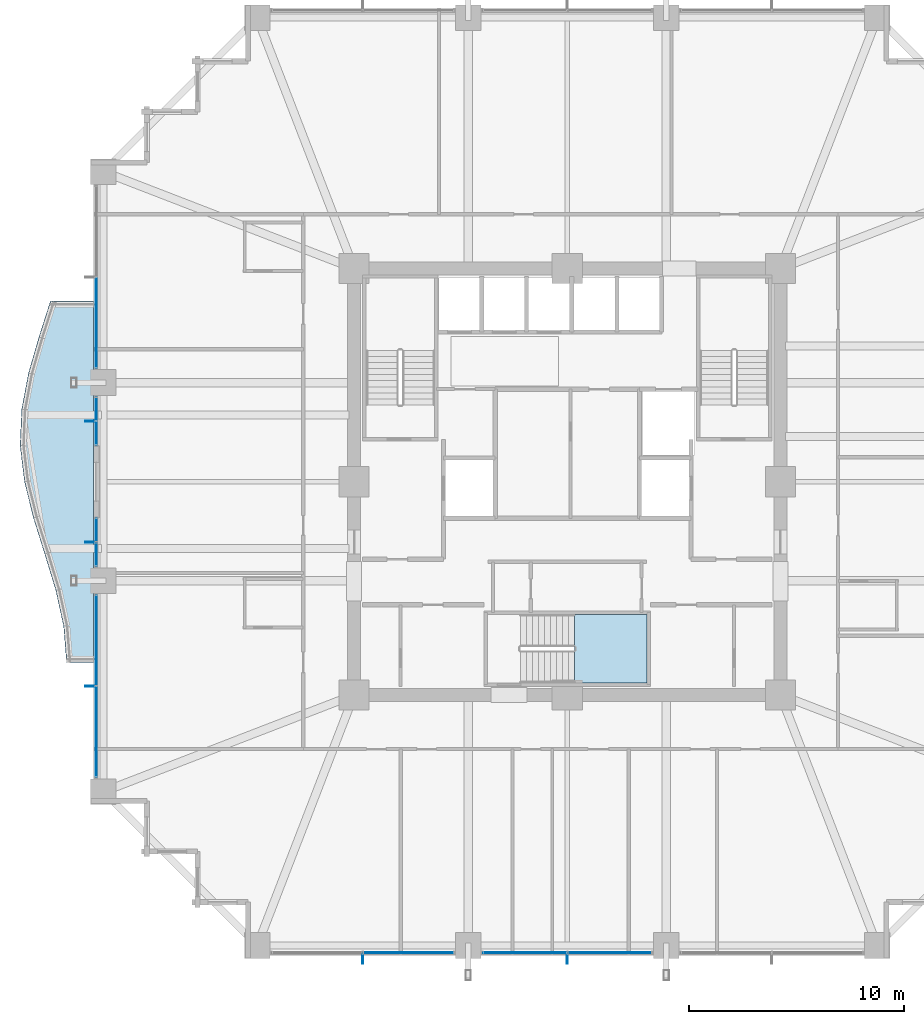
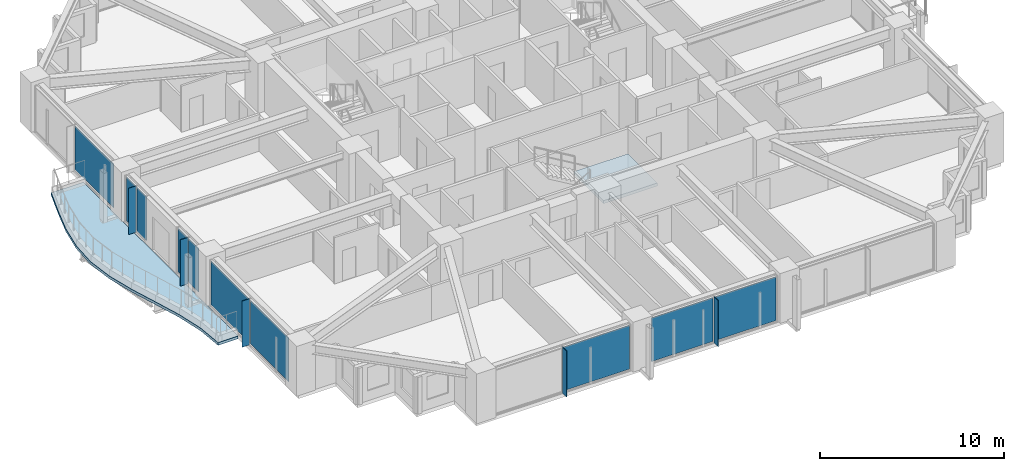
# One storey, part 28 of 38: 15 plates, 2 slabs, 7 elements without a shape of their own.
"""IFC4 building model written with IfcOpenShell, lengths in metres."""

from ifc_helpers import new_model, si_unit, direction, frame, origin, origin_2d, place, context, subcontext, project, spatial, polyline, rectangle, outline, extrude, material, layer, layer_set, type_object, element, aggregate, save


model = new_model("IFC4")

# Units and contexts
model_context = context("Model", 3, precision=1e-05, world=origin(), true_north=direction((0.0, 1.0)))
body_context = subcontext(model_context, "Body", "Model", "MODEL_VIEW")
ifc_project = project(units=[si_unit("LENGTHUNIT", "METRE"), si_unit("AREAUNIT", "SQUARE_METRE"), si_unit("VOLUMEUNIT", "CUBIC_METRE"), si_unit("PLANEANGLEUNIT", "RADIAN"), si_unit("MASSUNIT", "GRAM", prefix="KILO")], contexts=[model_context])

# Site, building, storey
site_placement = place(None, origin())
site = spatial("IfcSite", under=ifc_project, at=site_placement, CompositionType="ELEMENT")
building_placement = place(site_placement, origin())
building = spatial("IfcBuilding", under=site, at=building_placement, Name="Kolvaren Belvedere", CompositionType="ELEMENT")
storey_placement = place(building_placement, frame((0.0, 0.0, 53.5)))
storey = spatial("IfcBuildingStorey", under=building, at=storey_placement, Name="L15", CompositionType="ELEMENT", Elevation=53.5)

# Curtain wall, plates
ifc_material_1 = material(Name="Anodised pale-metal aluminium AA 6063-T6", Category="aluminium")
curtain_wall_type = type_object("IfcCurtainWallType", Name="CW-Z1-LOW", PredefinedType="NOTDEFINED", material=ifc_material_1)
curtain_wall_1_placement = place(storey_placement, origin())
curtain_wall_1 = element("IfcCurtainWall", 1, at=curtain_wall_1_placement, inside=storey, type_object=curtain_wall_type, Name="L15 Unitised Curtain Wall FCW-L15-S-B2", PredefinedType="NOTDEFINED")
ifc_material_2 = material(Name="Low-iron triple insulated glass", Category="glass")
ifc_layer_1 = layer(ifc_material_2, 0.028076171875)
ifc_layer_set_1 = layer_set([ifc_layer_1], Name="Low-iron triple insulated glass")
plate_type_1 = type_object("IfcPlateType", Name="CW-PNL-VIS28", PredefinedType="CURTAIN_PANEL", material=ifc_layer_set_1)
plate_1_placement = place(storey_placement, frame((1.972412109375, -21.8798828125, 0.080078125), z_axis=(0.0, 0.0, 1.0), x_axis=(-1.0, 0.0, 0.0)))
plate_1 = element("IfcPlate", 2, at=plate_1_placement, type_object=plate_type_1, Name="FCW-L15-S-B2 Vision Glazing Panel 1", PredefinedType="CURTAIN_PANEL", context=body_context, shape_type="SweptSolid", body=[
    extrude(rectangle(XDim=3.864990234375, YDim=0.028076171875, at=origin_2d()), origin(), (0.0, 0.0, 1.0), 2.89990234375),
])
plate_2_placement = place(storey_placement, frame((-1.972412109375, -21.8798828125, 0.080078125), z_axis=(0.0, 0.0, 1.0), x_axis=(-1.0, 0.0, 0.0)))
plate_2 = element("IfcPlate", 3, at=plate_2_placement, type_object=plate_type_1, Name="FCW-L15-S-B2 Vision Glazing Panel 2", PredefinedType="CURTAIN_PANEL", context=body_context, shape_type="SweptSolid", body=[
    extrude(rectangle(XDim=3.864990234375, YDim=0.028076171875, at=origin_2d()), origin(), (0.0, 0.0, 1.0), 2.89990234375),
])
aggregate(curtain_wall_1, [plate_1, plate_2])

# Curtain wall, plate
curtain_wall_2_placement = place(storey_placement, origin())
curtain_wall_2 = element("IfcCurtainWall", 4, at=curtain_wall_2_placement, inside=storey, type_object=curtain_wall_type, Name="L15 Unitised Curtain Wall FCW-L15-S-B3", PredefinedType="NOTDEFINED")
plate_3_placement = place(storey_placement, frame((-7.37744140625, -21.8798828125, 0.080078125), z_axis=(0.0, 0.0, 1.0), x_axis=(-1.0, 0.0, 0.0)))
plate_3 = element("IfcPlate", 5, at=plate_3_placement, type_object=plate_type_1, Name="FCW-L15-S-B3 Vision Glazing Panel 1", PredefinedType="CURTAIN_PANEL", context=body_context, shape_type="SweptSolid", body=[
    extrude(rectangle(XDim=4.1650390625, YDim=0.028076171875, at=origin_2d()), origin(), (0.0, 0.0, 1.0), 2.89990234375),
])
aggregate(curtain_wall_2, [plate_3])

# Curtain wall, plates
curtain_wall_3_placement = place(storey_placement, origin())
curtain_wall_3 = element("IfcCurtainWall", 6, at=curtain_wall_3_placement, inside=storey, type_object=curtain_wall_type, Name="L15 Unitised Curtain Wall FCW-L15-W1-B1", PredefinedType="NOTDEFINED")
plate_4_placement = place(storey_placement, frame((-21.8798828125, -11.62255859375, 0.080078125), z_axis=(0.0, 0.0, 1.0), x_axis=(0.0, 1.0, 0.0)))
plate_4 = element("IfcPlate", 7, at=plate_4_placement, type_object=plate_type_1, Name="FCW-L15-W1-B1 Vision Glazing Panel 1", PredefinedType="CURTAIN_PANEL", context=body_context, shape_type="SweptSolid", body=[
    extrude(rectangle(XDim=4.1650390625, YDim=0.028076171875, at=origin_2d()), origin(), (0.0, 0.0, 1.0), 2.89990234375),
])
plate_5_placement = place(storey_placement, frame((-21.8798828125, -7.37744140625, 0.080078125), z_axis=(0.0, 0.0, 1.0), x_axis=(0.0, 1.0, 0.0)))
plate_5 = element("IfcPlate", 8, at=plate_5_placement, type_object=plate_type_1, Name="FCW-L15-W1-B1 Vision Glazing Panel 2", PredefinedType="CURTAIN_PANEL", context=body_context, shape_type="SweptSolid", body=[
    extrude(rectangle(XDim=4.1650390625, YDim=0.028076171875, at=origin_2d()), origin(), (0.0, 0.0, 1.0), 2.89990234375),
])
aggregate(curtain_wall_3, [plate_4, plate_5])

curtain_wall_4_placement = place(storey_placement, origin())
curtain_wall_4 = element("IfcCurtainWall", 9, at=curtain_wall_4_placement, inside=storey, type_object=curtain_wall_type, Name="L15 Unitised Curtain Wall FCW-L15-W1-B2", PredefinedType="NOTDEFINED")
plate_6_placement = place(storey_placement, frame((-21.8798828125, -3.37890625, 0.080078125), z_axis=(0.0, 0.0, 1.0), x_axis=(0.0, 1.0, 0.0)))
plate_6 = element("IfcPlate", 10, at=plate_6_placement, type_object=plate_type_1, Name="FCW-L15-W1-B2 Vision Glazing Panel 1", PredefinedType="CURTAIN_PANEL", context=body_context, shape_type="SweptSolid", body=[
    extrude(rectangle(XDim=1.052490234375, YDim=0.028076171875, at=origin_2d()), origin(), (0.0, 0.0, 1.0), 2.89990234375),
])
plate_7_placement = place(storey_placement, frame((-21.8798828125, -2.24609375, 0.080078125), z_axis=(0.0, 0.0, 1.0), x_axis=(0.0, 1.0, 0.0)))
plate_7 = element("IfcPlate", 11, at=plate_7_placement, type_object=plate_type_1, Name="FCW-L15-W1-B2 Vision Glazing Panel 2", PredefinedType="CURTAIN_PANEL", context=body_context, shape_type="SweptSolid", body=[
    extrude(rectangle(XDim=1.052490234375, YDim=0.028076171875, at=origin_2d()), origin(), (0.0, 0.0, 1.0), 2.89990234375),
])
aggregate(curtain_wall_4, [plate_6, plate_7])

curtain_wall_5_placement = place(storey_placement, origin())
curtain_wall_5 = element("IfcCurtainWall", 12, at=curtain_wall_5_placement, inside=storey, type_object=curtain_wall_type, Name="L15 Unitised Curtain Wall FCW-L15-W2-B1", PredefinedType="NOTDEFINED")
plate_8_placement = place(storey_placement, frame((-21.8798828125, 2.24609375, 0.080078125), z_axis=(0.0, 0.0, 1.0), x_axis=(0.0, 1.0, 0.0)))
plate_8 = element("IfcPlate", 13, at=plate_8_placement, type_object=plate_type_1, Name="FCW-L15-W2-B1 Vision Glazing Panel 1", PredefinedType="CURTAIN_PANEL", context=body_context, shape_type="SweptSolid", body=[
    extrude(rectangle(XDim=1.052490234375, YDim=0.028076171875, at=origin_2d()), origin(), (0.0, 0.0, 1.0), 2.89990234375),
])
plate_9_placement = place(storey_placement, frame((-21.8798828125, 3.378662109375, 0.080078125), z_axis=(0.0, 0.0, 1.0), x_axis=(0.0, 1.0, 0.0)))
plate_9 = element("IfcPlate", 14, at=plate_9_placement, type_object=plate_type_1, Name="FCW-L15-W2-B1 Vision Glazing Panel 2", PredefinedType="CURTAIN_PANEL", context=body_context, shape_type="SweptSolid", body=[
    extrude(rectangle(XDim=1.052490234375, YDim=0.028076171875, at=origin_2d()), origin(), (0.0, 0.0, 1.0), 2.89990234375),
])
aggregate(curtain_wall_5, [plate_8, plate_9])

# Curtain wall, plate
curtain_wall_6_placement = place(storey_placement, origin())
curtain_wall_6 = element("IfcCurtainWall", 15, at=curtain_wall_6_placement, inside=storey, type_object=curtain_wall_type, Name="L15 Unitised Curtain Wall FCW-L15-W2-B2", PredefinedType="NOTDEFINED")
plate_10_placement = place(storey_placement, frame((-21.8798828125, 7.37744140625, 0.080078125), z_axis=(0.0, 0.0, 1.0), x_axis=(0.0, 1.0, 0.0)))
plate_10 = element("IfcPlate", 16, at=plate_10_placement, type_object=plate_type_1, Name="FCW-L15-W2-B2 Vision Glazing Panel 1", PredefinedType="CURTAIN_PANEL", context=body_context, shape_type="SweptSolid", body=[
    extrude(rectangle(XDim=4.1650390625, YDim=0.028076171875, at=origin_2d()), origin(), (0.0, 0.0, 1.0), 2.89990234375),
])
aggregate(curtain_wall_6, [plate_10])

# Plates
ifc_material_3 = material(Name="Anodised pale-metal aluminium AA 6063-T6", Category="aluminium")
ifc_layer_2 = layer(ifc_material_3, 0.0380859375)
ifc_layer_set_2 = layer_set([ifc_layer_2], Name="Anodised pale-metal aluminium AA 6063-T6")
plate_type_2 = type_object("IfcPlateType", Name="FIN-VERT-450", PredefinedType="USERDEFINED", material=ifc_layer_set_2)
for number, where, z_axis, x_axis, name in (
    (17, (0.0, -22.1650390625, 0.0), (0.0, 0.0, 1.0), (0.0, 1.0, 0.0), "L15 Pale-Metal Vertical Shading Fin FCW-L15-S-B2-1"),
    (18, (-9.5, -22.1650390625, 0.0), (0.0, 0.0, 1.0), (0.0, 1.0, 0.0), "L15 Pale-Metal Vertical Shading Fin FCW-L15-S-B3-1"),
    (19, (-22.1650390625, -9.5, 0.0), (0.0, 0.0, 1.0), (1.0, 0.0, 0.0), "L15 Pale-Metal Vertical Shading Fin FCW-L15-W1-B1-1"),
    (20, (-22.1650390625, -2.8125, 0.0), (0.0, 0.0, 1.0), (1.0, 0.0, 0.0), "L15 Pale-Metal Vertical Shading Fin FCW-L15-W1-B2-1"),
    (21, (-22.1650390625, 2.8125, 0.0), (0.0, 0.0, 1.0), (1.0, 0.0, 0.0), "L15 Pale-Metal Vertical Shading Fin FCW-L15-W2-B1-1"),
):
    element("IfcPlate", number, at=place(storey_placement, frame(where, z_axis=z_axis, x_axis=x_axis)), inside=storey, type_object=plate_type_2, Name=name, ObjectType="VERTICAL FIN", PredefinedType="USERDEFINED", context=body_context, shape_type="SweptSolid", body=[
        extrude(rectangle(XDim=0.449951171875, YDim=0.0380859375, at=origin_2d()), origin(), (0.0, 0.0, 1.0), 3.06005859375),
    ])

# Slab
ifc_material_4 = material(Name="Concrete C50/60", Category="concrete")
ifc_layer_3 = layer(ifc_material_4, 0.179931640625)
ifc_layer_set_3 = layer_set([ifc_layer_3], Name="Concrete C50/60")
slab_type_1 = type_object("IfcSlabType", Name="SL-BAL-180", PredefinedType="FLOOR", material=ifc_layer_set_3)
slab_1_placement = place(storey_placement, frame((0.0, 0.0, -0.239990234375)))
element("IfcSlab", 22, at=slab_1_placement, inside=storey, type_object=slab_type_1, Name="L15 Planted Balcony BAL-W", PredefinedType="FLOOR", context=body_context, shape_type="SweptSolid", body=[
    extrude(outline(polyline([(-24.00634765625, 8.39990234375), (-24.54248046875, 6.719970703125), (-25.0283203125, 5.0400390625), (-25.34423828125, 3.360107421875), (-25.419921875, 1.679931640625), (-25.213623046875, 0.0), (-24.7998046875, -1.679931640625), (-24.272216796875, -3.360107421875), (-23.76123046875, -5.0400390625), (-23.3935546875, -6.719970703125), (-23.260009765625, -8.39990234375), (-22.0, -8.39990234375), (-22.0, -6.719970703125), (-22.0, -5.0400390625), (-22.0, -3.360107421875), (-22.0, -1.679931640625), (-22.0, 0.0), (-22.0, 1.679931640625), (-22.0, 3.360107421875), (-22.0, 5.0400390625), (-22.0, 6.719970703125), (-22.0, 8.39990234375), (-24.00634765625, 8.39990234375)])), origin(), (0.0, 0.0, 1.0), 0.179931640625),
])

# Stair, slab
ifc_material_5 = material(Name="Concrete C50/60", Category="concrete")
stair_type = type_object("IfcStairType", Name="ST-CORE-1520", PredefinedType="HALF_TURN_STAIR", material=ifc_material_5)
stair_placement = place(storey_placement, origin())
stair = element("IfcStair", 23, at=stair_placement, inside=storey, type_object=stair_type, Name="L15 Protected Exit Stair ST-3", PredefinedType="HALF_TURN_STAIR")
ifc_material_6 = material(Name="Concrete C50/60", Category="concrete")
ifc_layer_4 = layer(ifc_material_6, 0.260009765625)
ifc_layer_set_4 = layer_set([ifc_layer_4], Name="Concrete C50/60")
slab_type_2 = type_object("IfcSlabType", Name="SL-LAND-260", PredefinedType="LANDING", material=ifc_layer_set_4)
slab_2_placement = place(storey_placement, frame((0.0, 0.0, 1.449951171875)))
slab_2 = element("IfcSlab", 24, at=slab_2_placement, type_object=slab_type_2, Name="ST-3 landing 1", PredefinedType="LANDING", context=body_context, shape_type="SweptSolid", body=[
    extrude(outline(polyline([(0.340087890625, -9.35009765625), (3.699951171875, -9.35009765625), (3.699951171875, -6.159912109375), (0.340087890625, -6.159912109375), (0.340087890625, -9.35009765625)])), origin(), (0.0, 0.0, 1.0), 0.199951171875),
])
aggregate(stair, [slab_2])

save(model, "model.ifc")
